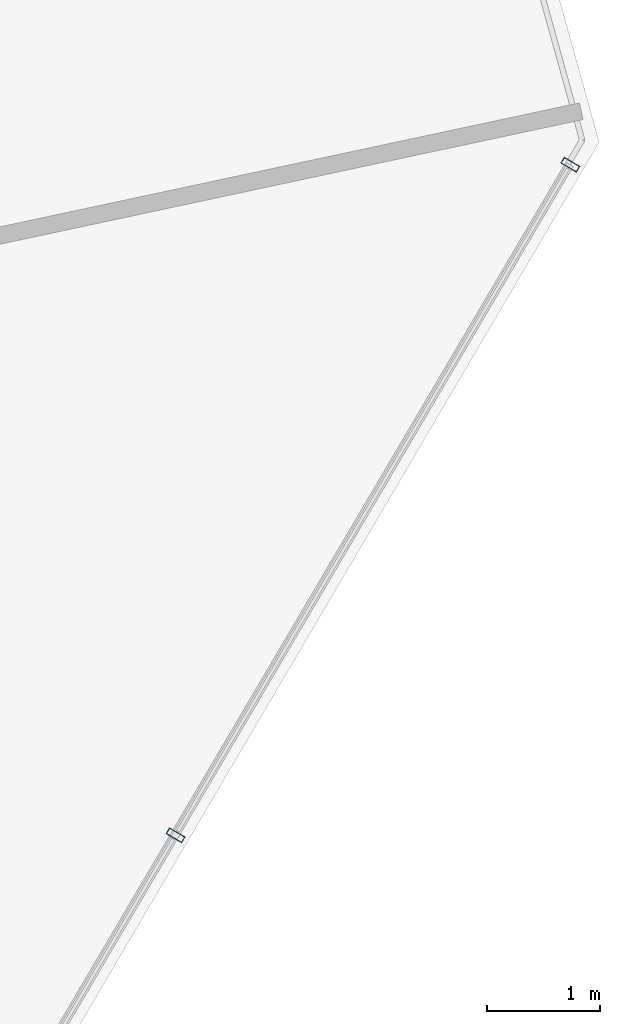
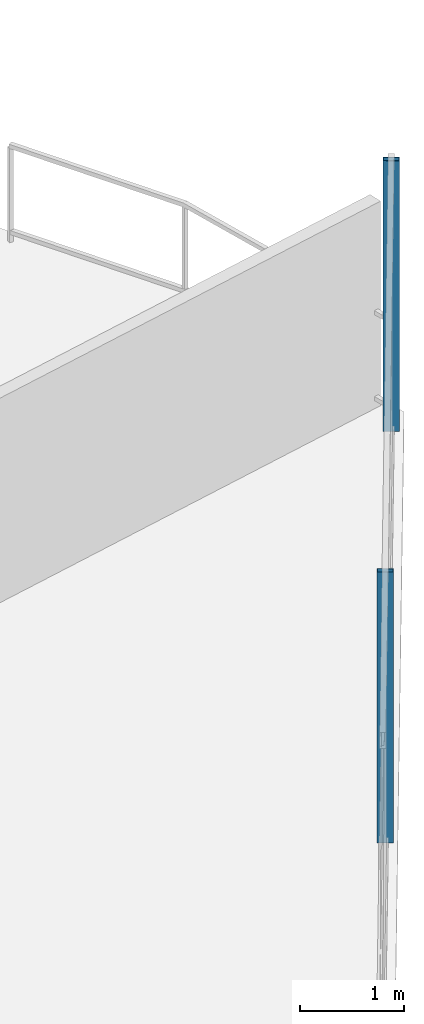
# One storey, part 15 of 31: 2 members, 1 element without a shape of its own.
"""IFC4 building model written with IfcOpenShell, lengths in metres."""

from ifc_helpers import new_model, si_unit, direction, frame, origin, origin_2d, place, context, subcontext, project, spatial, hollow_rectangle, extrude, material, layer, layer_set, material_profile, profile_set, type_object, element, aggregate, save


model = new_model("IFC4")

# Units and contexts
model_context = context("Model", 3, precision=1e-05, world=origin(), true_north=direction((0.0, 1.0)))
body_context = subcontext(model_context, "Body", "Model", "MODEL_VIEW")
ifc_project = project(units=[si_unit("LENGTHUNIT", "METRE"), si_unit("AREAUNIT", "SQUARE_METRE"), si_unit("VOLUMEUNIT", "CUBIC_METRE"), si_unit("PLANEANGLEUNIT", "RADIAN"), si_unit("MASSUNIT", "GRAM", prefix="KILO")], contexts=[model_context])

# Site, building, storey
site_placement = place(None, origin())
site = spatial("IfcSite", under=ifc_project, at=site_placement, CompositionType="ELEMENT")
building_placement = place(site_placement, origin())
building = spatial("IfcBuilding", under=site, at=building_placement, Name="Qarnah Convention Tower", CompositionType="ELEMENT")
storey_placement = place(building_placement, frame((0.0, 0.0, 64.949951171875)))
storey = spatial("IfcBuildingStorey", under=building, at=storey_placement, Name="L16", CompositionType="ELEMENT", Elevation=64.949951171875)

# Curtain wall, members
ifc_material_1 = material(Name="Tempered Low-E dark glass", Category="glass")
ifc_layer = layer(ifc_material_1, 0.16796875)
ifc_layer_set = layer_set([ifc_layer], Name="Tempered Low-E dark glass")
curtain_wall_type = type_object("IfcCurtainWallType", Name="CWS-01", PredefinedType="NOTDEFINED", material=ifc_layer_set)
curtain_wall_placement = place(storey_placement, origin())
curtain_wall = element("IfcCurtainWall", 1, at=curtain_wall_placement, inside=storey, type_object=curtain_wall_type, Name="L16 unitised curtain wall CW-L16-F2", PredefinedType="NOTDEFINED")
ifc_material_2 = material(Name="Black anodised aluminium", Category="aluminium")
ifc_material_profile = material_profile(ifc_material_2, hollow_rectangle(XDim=0.06005859375, YDim=0.159912109375, WallThickness=0.00390625, at=origin_2d()), Name="MUL-60X160")
ifc_profile_set = profile_set([ifc_material_profile], Name="Black anodised aluminium")
member_type = type_object("IfcMemberType", Name="MUL-T1", PredefinedType="MULLION", material=ifc_profile_set)
member_1_placement = place(storey_placement, frame((62.916015625, 31.431884765625, 0.0), z_axis=(0.0, 0.0, 1.0), x_axis=(-0.507200534441, -0.86182806746, 0.0)))
member_1 = element("IfcMember", 2, at=member_1_placement, type_object=member_type, Name="CW-L16-F2 mullion 1", PredefinedType="MULLION", context=body_context, shape_type="SweptSolid", body=[
    extrude(hollow_rectangle(XDim=0.06005859375, YDim=0.159912109375, WallThickness=0.00390625, at=origin_2d()), origin(), (0.0, 0.0, 1.0), 3.170166015625),
])
member_2_placement = place(storey_placement, frame((59.4267578125, 25.503173828125, 0.0), z_axis=(0.0, 0.0, 1.0), x_axis=(-0.507200534441, -0.86182806746, 0.0)))
member_2 = element("IfcMember", 3, at=member_2_placement, type_object=member_type, Name="CW-L16-F2 mullion 2", PredefinedType="MULLION", context=body_context, shape_type="SweptSolid", body=[
    extrude(hollow_rectangle(XDim=0.06005859375, YDim=0.159912109375, WallThickness=0.00390625, at=origin_2d()), origin(), (0.0, 0.0, 1.0), 3.170166015625),
])
aggregate(curtain_wall, [member_1, member_2])

save(model, "model.ifc")
